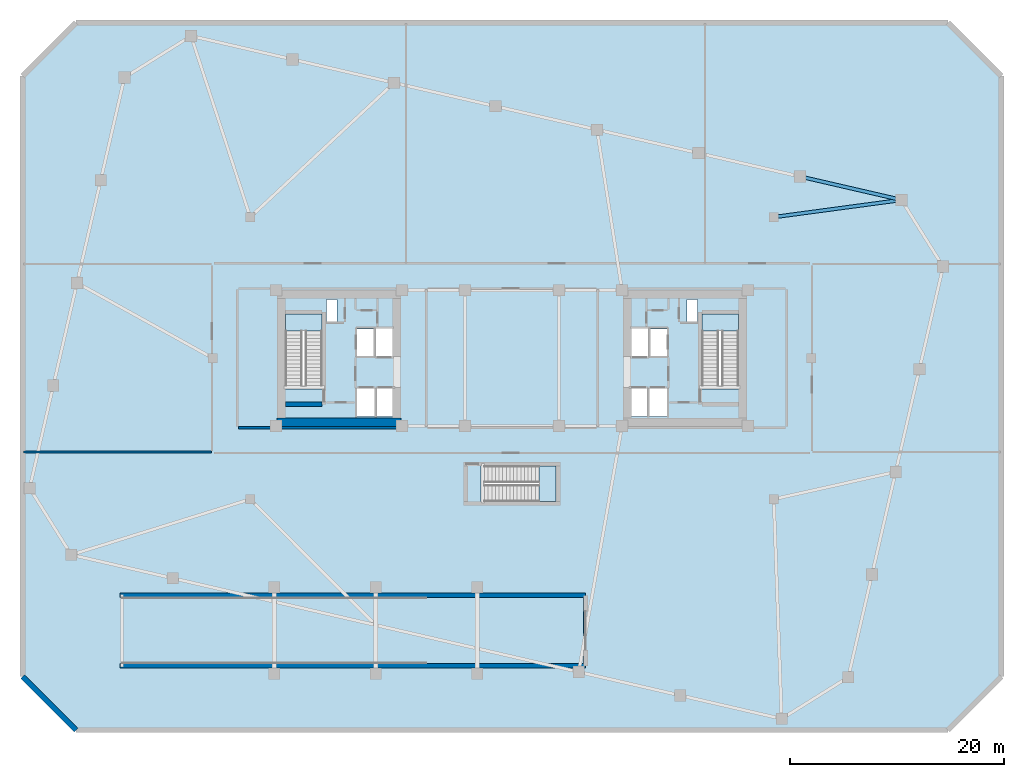
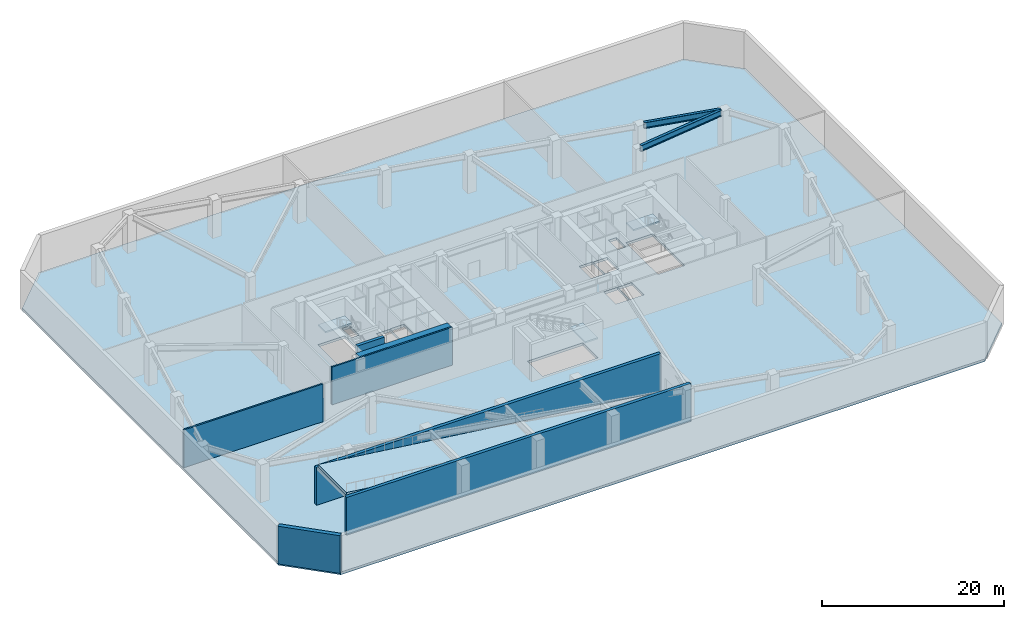
# One storey, part 2 of 11: 7 walls, 5 slabs, 2 beams, 3 elements without a shape of their own.
"""IFC4 building model written with IfcOpenShell, lengths in metres."""

from ifc_helpers import new_model, si_unit, direction, frame, frame_2d, origin, origin_2d, place, context, subcontext, project, spatial, polyline, rectangle, i_section, outline, extrude, material, layer, layer_set, material_profile, profile_set, type_object, element, aggregate, save


model = new_model("IFC4")

# Units and contexts
model_context = context("Model", 3, precision=1e-05, world=origin(), true_north=direction((0.0, 1.0)))
body_context = subcontext(model_context, "Body", "Model", "MODEL_VIEW")
ifc_project = project(units=[si_unit("LENGTHUNIT", "METRE"), si_unit("AREAUNIT", "SQUARE_METRE"), si_unit("VOLUMEUNIT", "CUBIC_METRE"), si_unit("PLANEANGLEUNIT", "RADIAN"), si_unit("MASSUNIT", "GRAM", prefix="KILO")], contexts=[model_context])

# Site, building, storey
site_placement = place(None, origin())
site = spatial("IfcSite", under=ifc_project, at=site_placement, CompositionType="ELEMENT")
building_placement = place(site_placement, origin())
building = spatial("IfcBuilding", under=site, at=building_placement, Name="Tavrogorsk Clinical Tower", CompositionType="ELEMENT")
storey_placement = place(building_placement, frame((0.0, 0.0, -5.39990234375)))
storey = spatial("IfcBuildingStorey", under=building, at=storey_placement, Name="B1", CompositionType="ELEMENT", Elevation=-5.39990234375)

# Beams
ifc_material_1 = material(Name="Structural steel S390", Category="steel")
ifc_material_profile = material_profile(ifc_material_1, i_section(OverallWidth=0.320068359375, OverallDepth=0.800048828125, WebThickness=0.02001953125, FlangeThickness=0.033935546875, at=origin_2d()), Name="B-800x320x20x34")
ifc_profile_set = profile_set([ifc_material_profile], Name="Structural steel S390")
beam_type = type_object("IfcBeamType", Name="PrimaryGirder_B800", PredefinedType="USERDEFINED", material=ifc_profile_set)
beam_1_placement = place(storey_placement, frame((35.983642578125, 14.9140625, 4.64990234375), z_axis=(-0.974375743284, 0.224926456648, 0.0), x_axis=(-0.224926456648, -0.974375743284, 0.0)))
element("IfcBeam", 1, at=beam_1_placement, inside=storey, type_object=beam_type, Name="B1 Perimeter Stilt Ring Girder N1-N2", ObjectType="GIRDER", PredefinedType="USERDEFINED", context=body_context, shape_type="SweptSolid", body=[
    extrude(i_section(OverallWidth=0.320068359375, OverallDepth=0.800048828125, WebThickness=0.02001953125, FlangeThickness=0.033935546875, at=origin_2d()), origin(), (0.0, 0.0, 1.0), 8.78857421875),
])
beam_2_placement = place(storey_placement, frame((24.876708984375, 13.25048828125, 4.64990234375), z_axis=(0.99108874397, 0.133203234105, 0.0), x_axis=(-0.133203234105, 0.99108874397, 0.0)))
element("IfcBeam", 2, at=beam_2_placement, inside=storey, type_object=beam_type, Name="B1 Radial Podium Girder N1", ObjectType="GIRDER", PredefinedType="USERDEFINED", context=body_context, shape_type="SweptSolid", body=[
    extrude(i_section(OverallWidth=0.320068359375, OverallDepth=0.800048828125, WebThickness=0.02001953125, FlangeThickness=0.033935546875, at=origin_2d()), origin(), (0.0, 0.0, 1.0), 11.19873046875),
])

# Slab
ifc_material_2 = material(Name="Concrete B60", Category="concrete")
ifc_layer_1 = layer(ifc_material_2, 0.35009765625)
ifc_layer_set_1 = layer_set([ifc_layer_1], Name="Concrete B60")
slab_type_1 = type_object("IfcSlabType", Name="BasementSlab_350", PredefinedType="FLOOR", material=ifc_layer_set_1)
slab_1_placement = place(storey_placement, frame((0.0, 0.0, -0.35009765625)))
element("IfcSlab", 3, at=slab_1_placement, inside=storey, type_object=slab_type_1, Name="B1 Structural Slab", PredefinedType="FLOOR", context=body_context, shape_type="SweptSolid", body=[
    extrude(outline(polyline([(-40.800048828125, -34.800048828125), (40.800048828125, -34.800048828125), (45.800048828125, -29.800048828125), (45.800048828125, 26.39990234375), (40.800048828125, 31.39990234375), (-40.800048828125, 31.39990234375), (-45.800048828125, 26.39990234375), (-45.800048828125, -29.800048828125), (-40.800048828125, -34.800048828125)]), holes=[polyline([(-17.800048828125, -2.8798828125), (-17.800048828125, 4.125), (-21.199951171875, 4.125), (-21.199951171875, -2.8798828125), (-17.800048828125, -2.8798828125)]), polyline([(21.199951171875, -2.8798828125), (21.199951171875, 4.125), (17.800048828125, 4.125), (17.800048828125, -2.8798828125), (21.199951171875, -2.8798828125)]), polyline([(-2.8798828125, -13.39990234375), (4.125, -13.39990234375), (4.125, -10.10009765625), (-2.8798828125, -10.10009765625), (-2.8798828125, -13.39990234375)]), polyline([(-14.6201171875, 0.169921875), (-12.860107421875, 0.169921875), (-12.860107421875, 2.72998046875), (-14.6201171875, 2.72998046875), (-14.6201171875, 0.169921875)]), polyline([(-14.530029296875, -5.47998046875), (-12.77001953125, -5.47998046875), (-12.77001953125, -2.820068359375), (-14.530029296875, -2.820068359375), (-14.530029296875, -5.47998046875)]), polyline([(-12.72998046875, -5.47998046875), (-10.969970703125, -5.47998046875), (-10.969970703125, -2.820068359375), (-12.72998046875, -2.820068359375), (-12.72998046875, -5.47998046875)]), polyline([(-12.840087890625, 0.1201171875), (-11.080078125, 0.1201171875), (-11.080078125, 2.780029296875), (-12.840087890625, 2.780029296875), (-12.840087890625, 0.1201171875)]), polyline([(12.860107421875, 0.169921875), (14.6201171875, 0.169921875), (14.6201171875, 2.72998046875), (12.860107421875, 2.72998046875), (12.860107421875, 0.169921875)]), polyline([(12.77001953125, -5.47998046875), (14.530029296875, -5.47998046875), (14.530029296875, -2.820068359375), (12.77001953125, -2.820068359375), (12.77001953125, -5.47998046875)]), polyline([(10.969970703125, -5.47998046875), (12.72998046875, -5.47998046875), (12.72998046875, -2.820068359375), (10.969970703125, -2.820068359375), (10.969970703125, -5.47998046875)]), polyline([(11.080078125, 0.1201171875), (12.840087890625, 0.1201171875), (12.840087890625, 2.780029296875), (11.080078125, 2.780029296875), (11.080078125, 0.1201171875)]), polyline([(-17.3798828125, 3.449951171875), (-16.3798828125, 3.449951171875), (-16.3798828125, 5.5), (-17.3798828125, 5.5), (-17.3798828125, 3.449951171875)]), polyline([(16.3798828125, 3.449951171875), (17.3798828125, 3.449951171875), (17.3798828125, 5.5), (16.3798828125, 5.5), (16.3798828125, 3.449951171875)]), polyline([(3.8798828125, -28.60009765625), (6.699951171875, -28.60009765625), (6.699951171875, -22.39990234375), (3.8798828125, -22.39990234375), (3.8798828125, -28.60009765625)])]), origin(), (0.0, 0.0, 1.0), 0.35009765625),
])

# Stair, slab
ifc_material_3 = material(Name="Concrete B60", Category="concrete")
stair_type = type_object("IfcStairType", Name="CoreStairAssembly", PredefinedType="HALF_TURN_STAIR", material=ifc_material_3)
stair_1_placement = place(storey_placement, origin())
stair_1 = element("IfcStair", 4, at=stair_1_placement, inside=storey, type_object=stair_type, Name="B1 ST-W", PredefinedType="HALF_TURN_STAIR")
ifc_material_4 = material(Name="Concrete B60", Category="concrete")
ifc_layer_2 = layer(ifc_material_4, 0.199951171875)
ifc_layer_set_2 = layer_set([ifc_layer_2], Name="Concrete B60")
slab_type_2 = type_object("IfcSlabType", Name="StairLanding_200", PredefinedType="LANDING", material=ifc_layer_set_2)
slab_2_placement = place(storey_placement, frame((0.0, 0.0, 2.5)))
slab_2 = element("IfcSlab", 5, at=slab_2_placement, type_object=slab_type_2, Name="ST-W landing 1", PredefinedType="LANDING", context=body_context, shape_type="SweptSolid", body=[
    extrude(outline(polyline([(-17.800048828125, 2.52490234375), (-17.800048828125, 4.125), (-21.199951171875, 4.125), (-21.199951171875, 2.52490234375), (-17.800048828125, 2.52490234375)])), origin(), (0.0, 0.0, 1.0), 0.199951171875),
])
aggregate(stair_1, [slab_2])

stair_2_placement = place(storey_placement, origin())
stair_2 = element("IfcStair", 6, at=stair_2_placement, inside=storey, type_object=stair_type, Name="B1 ST-E", PredefinedType="HALF_TURN_STAIR")
slab_3_placement = place(storey_placement, frame((0.0, 0.0, 2.5)))
slab_3 = element("IfcSlab", 7, at=slab_3_placement, type_object=slab_type_2, Name="ST-E landing 1", PredefinedType="LANDING", context=body_context, shape_type="SweptSolid", body=[
    extrude(outline(polyline([(21.199951171875, 2.52490234375), (21.199951171875, 4.125), (17.800048828125, 4.125), (17.800048828125, 2.52490234375), (21.199951171875, 2.52490234375)])), origin(), (0.0, 0.0, 1.0), 0.199951171875),
])
aggregate(stair_2, [slab_3])

stair_3_placement = place(storey_placement, origin())
stair_3 = element("IfcStair", 8, at=stair_3_placement, inside=storey, type_object=stair_type, Name="B1 ST-P", PredefinedType="HALF_TURN_STAIR")
slab_4_placement = place(storey_placement, frame((0.0, 0.0, 2.5)))
slab_4 = element("IfcSlab", 9, at=slab_4_placement, type_object=slab_type_2, Name="ST-P landing 1", PredefinedType="LANDING", context=body_context, shape_type="SweptSolid", body=[
    extrude(outline(polyline([(2.52490234375, -13.39990234375), (4.125, -13.39990234375), (4.125, -10.10009765625), (2.52490234375, -10.10009765625), (2.52490234375, -13.39990234375)])), origin(), (0.0, 0.0, 1.0), 0.199951171875),
])
aggregate(stair_3, [slab_4])

# Slab
ifc_material_5 = material(Name="Concrete B60", Category="concrete")
ifc_layer_3 = layer(ifc_material_5, 0.35009765625)
ifc_layer_set_3 = layer_set([ifc_layer_3], Name="Concrete B60")
slab_type_3 = type_object("IfcSlabType", Name="VehicleRampSlab_350", PredefinedType="FLOOR", material=ifc_layer_set_3)
slab_5_placement = place(storey_placement, frame((-36.5, -28.60009765625, 5.39990234375), z_axis=(0.124032664028, 0.0, 0.992278135532), x_axis=(0.992278135532, 0.0, -0.124032664028)))
element("IfcSlab", 10, at=slab_5_placement, inside=storey, type_object=slab_type_3, Name="B1 Two-Lane Structural Vehicle Ramp Slab", PredefinedType="FLOOR", context=body_context, shape_type="SweptSolid", body=[
    extrude(outline(polyline([(0.0, 0.0), (43.5361312770717, 0.0), (43.5361312770717, 6.2001953125), (0.0, 6.2001953125), (0.0, 0.0)])), origin(), (0.0, 0.0, -1.0), 0.35009765625),
])

# Walls
ifc_material_6 = material(Name="Concrete B60", Category="concrete")
ifc_layer_4 = layer(ifc_material_6, 0.199951171875)
ifc_layer_set_4 = layer_set([ifc_layer_4], Name="Concrete B60")
wall_type_1 = type_object("IfcWallType", Name="CoreFireWall_200", PredefinedType="SOLIDWALL", material=ifc_layer_set_4)
wall_1_placement = place(storey_placement, frame((-25.614990234375, -6.52001953125, 0.0), z_axis=(0.0, 0.0, 1.0), x_axis=(1.0, 0.0, 0.0)))
element("IfcWall", 11, at=wall_1_placement, inside=storey, type_object=wall_type_1, Name="B1 Corridor Fire Wall 14", PredefinedType="SOLIDWALL", context=body_context, shape_type="SweptSolid", body=[
    extrude(rectangle(XDim=15.235107421875, YDim=0.199951171875, at=frame_2d((7.61767578125, 0.0))), origin(), (0.0, 0.0, 1.0), 5.0498046875),
])
wall_2_placement = place(storey_placement, frame((-45.719970703125, -8.800048828125, 0.0), z_axis=(0.0, 0.0, 1.0), x_axis=(1.0, 0.0, 0.0)))
element("IfcWall", 12, at=wall_2_placement, inside=storey, type_object=wall_type_1, Name="B1 Compartment Fire Wall 1", PredefinedType="SOLIDWALL", context=body_context, shape_type="SweptSolid", body=[
    extrude(rectangle(XDim=17.614990234375, YDim=0.199951171875, at=frame_2d((8.8076171875, 0.0))), origin(), (0.0, 0.0, 1.0), 5.0498046875),
])
ifc_material_7 = material(Name="Concrete B80", Category="concrete")
ifc_layer_5 = layer(ifc_material_7, 0.39990234375)
ifc_layer_set_5 = layer_set([ifc_layer_5], Name="Concrete B80")
wall_type_2 = type_object("IfcWallType", Name="ShearWall_400", PredefinedType="SHEAR", material=ifc_layer_set_5)
for number, where, z_axis, x_axis, name in (
    (13, (-36.699951171875, -28.800048828125, 0.0), (0.0, 0.0, 1.0), (1.0, 0.0, 0.0), "B1 Vehicle Ramp South Trench Wall"),
    (14, (-36.699951171875, -22.199951171875, 0.0), (0.0, 0.0, 1.0), (1.0, 0.0, 0.0), "B1 Vehicle Ramp North Trench Wall"),
):
    element("IfcWall", number, at=place(storey_placement, frame(where, z_axis=z_axis, x_axis=x_axis)), inside=storey, type_object=wall_type_2, Name=name, PredefinedType="SHEAR", context=body_context, shape_type="SweptSolid", body=[
        extrude(rectangle(XDim=43.599853515625, YDim=0.39990234375, at=frame_2d((21.7998046875, 0.0))), origin(), (0.0, 0.0, 1.0), 5.0498046875),
    ])
wall_3_placement = place(storey_placement, frame((-21.199951171875, -4.324951171875, 0.0), z_axis=(0.0, 0.0, 1.0), x_axis=(1.0, 0.0, 0.0)))
element("IfcWall", 15, at=wall_3_placement, inside=storey, type_object=wall_type_2, Name="B1 Core West Stair Shaft South Shear Wall", PredefinedType="SHEAR", context=body_context, shape_type="SweptSolid", body=[
    extrude(rectangle(XDim=3.39990234375, YDim=0.39990234375, at=frame_2d((1.699951171875, 0.0))), origin(), (0.0, 0.0, 1.0), 5.0498046875),
])
ifc_material_8 = material(Name="Concrete B60", Category="concrete")
ifc_layer_6 = layer(ifc_material_8, 0.5)
ifc_layer_set_6 = layer_set([ifc_layer_6], Name="Concrete B60")
wall_type_3 = type_object("IfcWallType", Name="ShearWall_500", PredefinedType="SHEAR", material=ifc_layer_set_6)
wall_4_placement = place(storey_placement, frame((-45.800048828125, -29.800048828125, 0.0), z_axis=(0.0, 0.0, 1.0), x_axis=(0.707106781187, -0.707106781187, 0.0)))
element("IfcWall", 16, at=wall_4_placement, inside=storey, type_object=wall_type_3, Name="B1 Retaining Wall 8", PredefinedType="SHEAR", context=body_context, shape_type="SweptSolid", body=[
    extrude(rectangle(XDim=7.071044921875, YDim=0.5, at=frame_2d((3.53564453125, 0.0))), origin(), (0.0, 0.0, 1.0), 5.0498046875),
])
ifc_material_9 = material(Name="Concrete B80", Category="concrete")
ifc_layer_7 = layer(ifc_material_9, 0.800048828125)
ifc_layer_set_7 = layer_set([ifc_layer_7], Name="Concrete B80")
wall_type_4 = type_object("IfcWallType", Name="ShearWall_800", PredefinedType="SHEAR", material=ifc_layer_set_7)
wall_5_placement = place(storey_placement, frame((-22.0, -6.0, 0.0), z_axis=(0.0, 0.0, 1.0), x_axis=(1.0, 0.0, 0.0)))
element("IfcWall", 17, at=wall_5_placement, inside=storey, type_object=wall_type_4, Name="B1 Core West South Shear Wall", PredefinedType="SHEAR", context=body_context, shape_type="SweptSolid", body=[
    extrude(rectangle(XDim=11.60009765625, YDim=0.800048828125, at=frame_2d((5.800048828125, 0.0))), origin(), (0.0, 0.0, 1.0), 5.0498046875),
])

save(model, "model.ifc")
